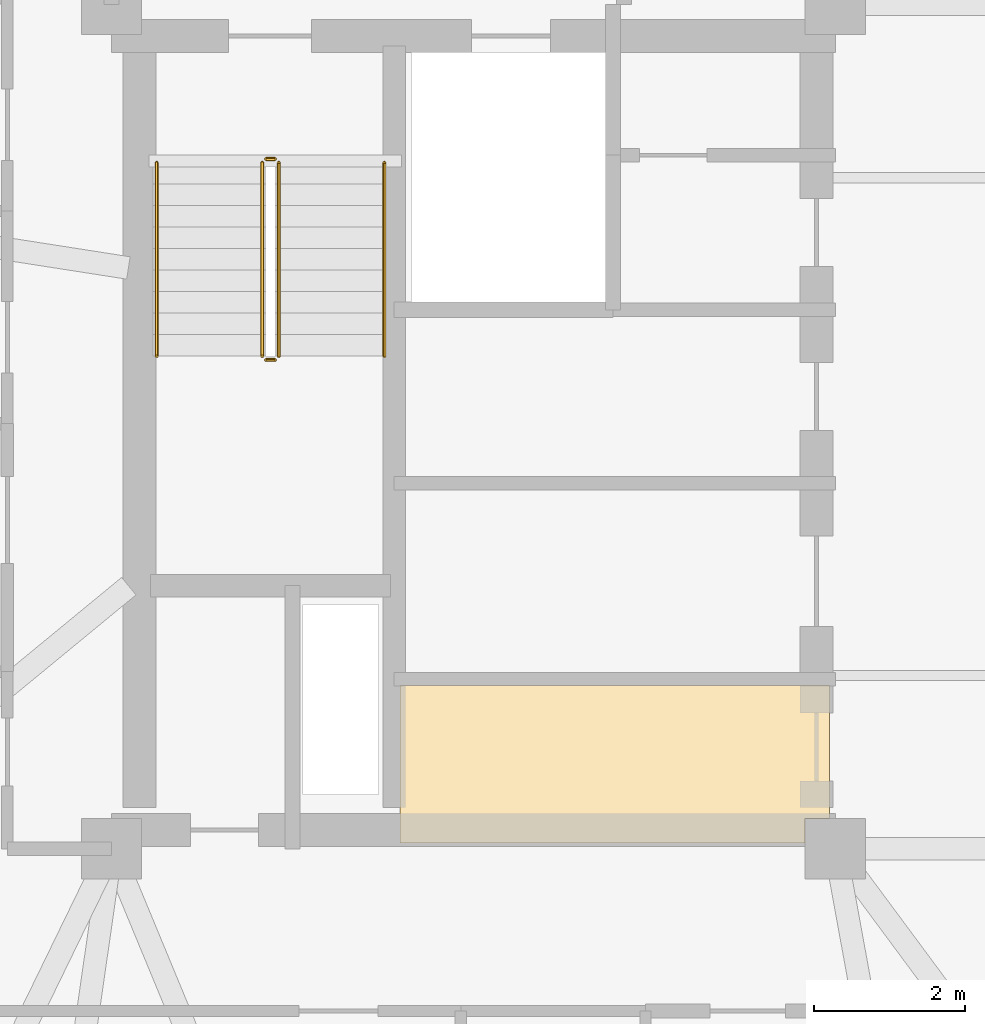
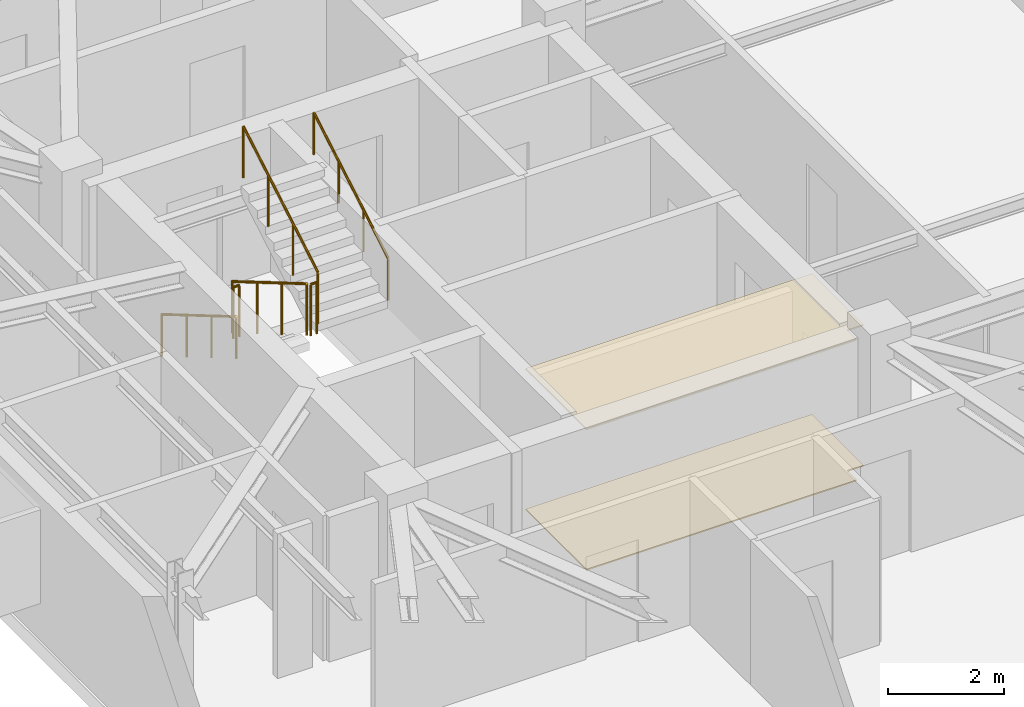
# One storey, part 10 of 11: 6 railings, 2 coverings.
"""IFC4 building model written with IfcOpenShell, lengths in metres."""

from ifc_helpers import new_model, si_unit, direction, frame, origin, origin_2d, place, context, subcontext, project, spatial, polyline, circle, outline, extrude, material, layer, layer_set, type_object, element, save


model = new_model("IFC4")

# Units and contexts
model_context = context("Model", 3, precision=1e-05, world=origin(), true_north=direction((0.0, 1.0)))
body_context = subcontext(model_context, "Body", "Model", "MODEL_VIEW")
ifc_project = project(units=[si_unit("LENGTHUNIT", "METRE"), si_unit("AREAUNIT", "SQUARE_METRE"), si_unit("VOLUMEUNIT", "CUBIC_METRE"), si_unit("PLANEANGLEUNIT", "RADIAN"), si_unit("MASSUNIT", "GRAM", prefix="KILO")], contexts=[model_context])

# Site, building, storey
site_placement = place(None, origin())
site = spatial("IfcSite", under=ifc_project, at=site_placement, CompositionType="ELEMENT")
building_placement = place(site_placement, origin())
building = spatial("IfcBuilding", under=site, at=building_placement, Name="Qobustan Lattice House", CompositionType="ELEMENT")
storey_placement = place(building_placement, frame((0.0, 0.0, 248.39990234375)))
storey = spatial("IfcBuildingStorey", under=building, at=storey_placement, Name="L70", CompositionType="ELEMENT", Elevation=248.39990234375)

# Coverings
ifc_material_1 = material(Name="Perforated gypsum acoustic ceiling", Category="gypsum")
ifc_layer_1 = layer(ifc_material_1, 0.030029296875)
ifc_layer_set_1 = layer_set([ifc_layer_1], Name="Perforated gypsum acoustic ceiling")
covering_type_1 = type_object("IfcCoveringType", Name="COV-ACOUSTIC-CEIL", PredefinedType="CEILING", material=ifc_layer_set_1)
covering_1_placement = place(storey_placement, frame((0.0, 0.0, 2.9501953125)))
element("IfcCovering", 1, at=covering_1_placement, inside=storey, type_object=covering_type_1, Name="L70 Quiet study alcove acoustic ceiling", PredefinedType="CEILING", context=body_context, shape_type="SweptSolid", body=[
    extrude(outline(polyline([(-9.280029296875, -3.429931640625), (-14.969970703125, -3.429931640625), (-14.969970703125, -5.52001953125), (-9.60205078125, -5.52001953125), (-9.60205078125, -5.197998046875), (-9.280029296875, -5.197998046875), (-9.280029296875, -3.429931640625)])), origin(), (0.0, 0.0, 1.0), 0.02978515625),
])
ifc_material_2 = material(Name="Honed Absheron stone terrazzo flooring", Category="masonry")
ifc_layer_2 = layer(ifc_material_2, 0.02490234375)
ifc_layer_set_2 = layer_set([ifc_layer_2], Name="Honed Absheron stone terrazzo flooring")
covering_type_2 = type_object("IfcCoveringType", Name="COV-TERRAZZO-FLR", PredefinedType="FLOORING", material=ifc_layer_set_2)
covering_2_placement = place(storey_placement, origin())
element("IfcCovering", 2, at=covering_2_placement, inside=storey, type_object=covering_type_2, Name="L70 Quiet study alcove stone terrazzo flooring", PredefinedType="FLOORING", context=body_context, shape_type="SweptSolid", body=[
    extrude(outline(polyline([(-9.280029296875, -3.429931640625), (-14.969970703125, -3.429931640625), (-14.969970703125, -5.52001953125), (-9.60205078125, -5.52001953125), (-9.60205078125, -5.197998046875), (-9.280029296875, -5.197998046875), (-9.280029296875, -3.429931640625)])), origin(), (0.0, 0.0, 1.0), 0.025146484375),
])

# Railings
ifc_material_3 = material(Name="Brushed stainless steel handrail", Category="steel")
railing_type_1 = type_object("IfcRailingType", Name="RAL-HR-920", PredefinedType="HANDRAIL", material=ifc_material_3)
railing_1_placement = place(storey_placement, frame((-18.199951171875, 3.5, 0.16748046875)))
element("IfcRailing", 3, at=railing_1_placement, inside=storey, type_object=railing_type_1, Name="L70 ST-W1 stair handrail 1", PredefinedType="HANDRAIL", context=body_context, shape_type="SweptSolid", body=[
    extrude(circle(Radius=0.02392578125, at=origin_2d()), frame((0.0, 0.0, 0.8759765625), z_axis=(0.0, -0.862113467892, 0.50671527358), x_axis=(1.0, 0.0, 0.0)), (0.0, 0.0, 1.0), 2.97509765625),
    extrude(circle(Radius=0.02099609375, at=origin_2d()), origin(), (0.0, 0.0, 1.0), 0.851806640625),
    extrude(circle(Radius=0.02099609375, at=origin_2d()), frame((0.0, -0.85498046875, 0.50244140625)), (0.0, 0.0, 1.0), 0.851806640625),
    extrude(circle(Radius=0.02099609375, at=origin_2d()), frame((0.0, -1.7099609375, 1.005126953125)), (0.0, 0.0, 1.0), 0.851806640625),
    extrude(circle(Radius=0.02099609375, at=origin_2d()), frame((0.0, -2.56494140625, 1.507568359375)), (0.0, 0.0, 1.0), 0.851806640625),
])
railing_2_placement = place(storey_placement, frame((-15.179931640625, 0.93505859375, 1.842529296875)))
element("IfcRailing", 4, at=railing_2_placement, inside=storey, type_object=railing_type_1, Name="L70 ST-W1 stair handrail 2", PredefinedType="HANDRAIL", context=body_context, shape_type="SweptSolid", body=[
    extrude(circle(Radius=0.02392578125, at=origin_2d()), frame((0.0, 0.0, 0.8759765625), z_axis=(0.0, 0.862113467892, 0.50671527358), x_axis=(-1.0, 0.0, 0.0)), (0.0, 0.0, 1.0), 2.97509765625),
    extrude(circle(Radius=0.02099609375, at=origin_2d()), origin(), (0.0, 0.0, 1.0), 0.851806640625),
    extrude(circle(Radius=0.02099609375, at=origin_2d()), frame((0.0, 0.85498046875, 0.50244140625)), (0.0, 0.0, 1.0), 0.851806640625),
    extrude(circle(Radius=0.02099609375, at=origin_2d()), frame((0.0, 1.7099609375, 1.005126953125)), (0.0, 0.0, 1.0), 0.851806640625),
    extrude(circle(Radius=0.02099609375, at=origin_2d()), frame((0.0, 2.56494140625, 1.507568359375)), (0.0, 0.0, 1.0), 0.851806640625),
])
ifc_material_4 = material(Name="Painted galvanized steel guardrail", Category="steel")
railing_type_2 = type_object("IfcRailingType", Name="RAL-STG-1150", PredefinedType="GUARDRAIL", material=ifc_material_4)
railing_3_placement = place(storey_placement, frame((-16.800048828125, 3.5, 0.16748046875)))
element("IfcRailing", 5, at=railing_3_placement, inside=storey, type_object=railing_type_2, Name="L70 ST-W1 stair guard 1", PredefinedType="GUARDRAIL", context=body_context, shape_type="SweptSolid", body=[
    extrude(circle(Radius=0.02392578125, at=origin_2d()), frame((0.0, 0.0, 1.076171875), z_axis=(0.0, -0.862113467892, 0.50671527358), x_axis=(1.0, 0.0, 0.0)), (0.0, 0.0, 1.0), 2.97509765625),
    extrude(circle(Radius=0.02099609375, at=origin_2d()), origin(), (0.0, 0.0, 1.0), 1.052001953125),
    extrude(circle(Radius=0.02099609375, at=origin_2d()), frame((0.0, -0.85498046875, 0.50244140625)), (0.0, 0.0, 1.0), 1.052001953125),
    extrude(circle(Radius=0.02099609375, at=origin_2d()), frame((0.0, -1.7099609375, 1.005126953125)), (0.0, 0.0, 1.0), 1.052001953125),
    extrude(circle(Radius=0.02099609375, at=origin_2d()), frame((0.0, -2.56494140625, 1.507568359375)), (0.0, 0.0, 1.0), 1.052001953125),
])
railing_4_placement = place(storey_placement, frame((-16.75, 0.885009765625, 1.675048828125)))
element("IfcRailing", 6, at=railing_4_placement, inside=storey, type_object=railing_type_2, Name="L70 ST-W1 stair guard 2", PredefinedType="GUARDRAIL", context=body_context, shape_type="SweptSolid", body=[
    extrude(circle(Radius=0.02392578125, at=origin_2d()), frame((0.0, 0.0, 1.076171875), z_axis=(1.0, 0.0, 0.0), x_axis=(0.0, 1.0, 0.0)), (0.0, 0.0, 1.0), 0.1201171875),
    extrude(circle(Radius=0.02099609375, at=origin_2d()), origin(), (0.0, 0.0, 1.0), 1.052001953125),
    extrude(circle(Radius=0.02099609375, at=origin_2d()), frame((0.1201171875, 0.0, 0.0)), (0.0, 0.0, 1.0), 1.052001953125),
])
railing_5_placement = place(storey_placement, frame((-16.580078125, 0.93505859375, 1.842529296875)))
element("IfcRailing", 7, at=railing_5_placement, inside=storey, type_object=railing_type_2, Name="L70 ST-W1 stair guard 3", PredefinedType="GUARDRAIL", context=body_context, shape_type="SweptSolid", body=[
    extrude(circle(Radius=0.02392578125, at=origin_2d()), frame((0.0, 0.0, 1.076171875), z_axis=(0.0, 0.862113467892, 0.50671527358), x_axis=(-1.0, 0.0, 0.0)), (0.0, 0.0, 1.0), 2.97509765625),
    extrude(circle(Radius=0.02099609375, at=origin_2d()), origin(), (0.0, 0.0, 1.0), 1.052001953125),
    extrude(circle(Radius=0.02099609375, at=origin_2d()), frame((0.0, 0.85498046875, 0.50244140625)), (0.0, 0.0, 1.0), 1.052001953125),
    extrude(circle(Radius=0.02099609375, at=origin_2d()), frame((0.0, 1.7099609375, 1.005126953125)), (0.0, 0.0, 1.0), 1.052001953125),
    extrude(circle(Radius=0.02099609375, at=origin_2d()), frame((0.0, 2.56494140625, 1.507568359375)), (0.0, 0.0, 1.0), 1.052001953125),
])
railing_6_placement = place(storey_placement, frame((-16.75, 3.550048828125, 0.0)))
element("IfcRailing", 8, at=railing_6_placement, inside=storey, type_object=railing_type_2, Name="L70 ST-W1 stair guard 4", PredefinedType="GUARDRAIL", context=body_context, shape_type="SweptSolid", body=[
    extrude(circle(Radius=0.02392578125, at=origin_2d()), frame((0.0, 0.0, 1.076171875), z_axis=(1.0, 0.0, 0.0), x_axis=(0.0, 1.0, 0.0)), (0.0, 0.0, 1.0), 0.1201171875),
    extrude(circle(Radius=0.02099609375, at=origin_2d()), origin(), (0.0, 0.0, 1.0), 1.052001953125),
    extrude(circle(Radius=0.02099609375, at=origin_2d()), frame((0.1201171875, 0.0, 0.0)), (0.0, 0.0, 1.0), 1.052001953125),
])

save(model, "model.ifc")
